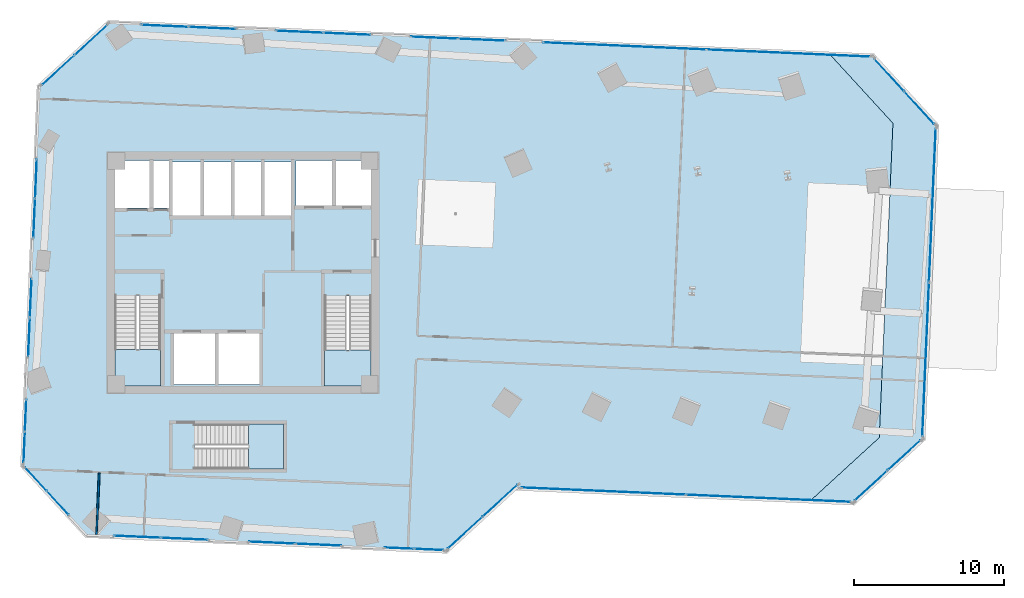
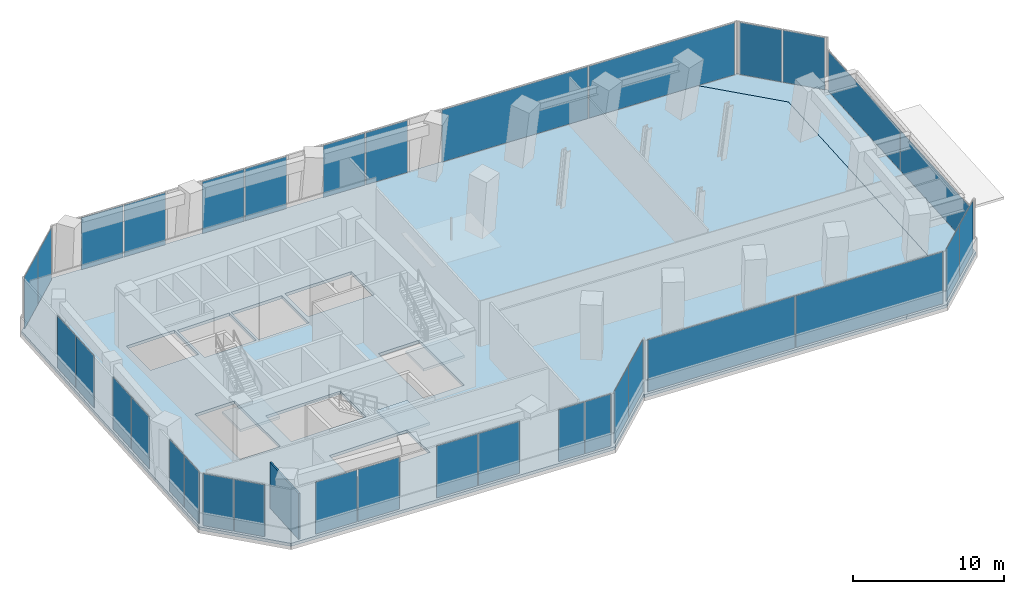
# One storey, part 21 of 27: 34 plates, 5 slabs, 1 wall, 20 elements without a shape of their own.
"""IFC4 building model written with IfcOpenShell, lengths in metres."""

import ifcopenshell
import ifcopenshell.guid

model = None  # the IFC model being written
_history = None  # IfcOwnerHistory: only IFC2X3 demands one
_inside = {}  # id of a spatial element -> (the spatial element, [elements in it])
_under = {}  # id of a project, library or spatial element -> (it, [spatial elements below it])
_declared = {}  # id of a project -> (the project, [libraries it declares])
_typed = {}  # id of a type object -> (the type object, [elements of that type])
_made_of = {}  # id of a material, layer set ... -> (it, [elements and type objects made of it])


def new_model(schema):
    """Start an empty IFC model of exactly this schema.

    Asked for "IFC4X3", IfcOpenShell would pick the latest addendum, in which some entities
    have other attributes; the version numbers below select the first issue.
    IFC2X3 requires an IfcOwnerHistory on every rooted entity: one is made here for all.
    """
    global model, _history
    if schema == "IFC4X3":
        model = ifcopenshell.file(schema_version=(4, 3, 0, 0))
    else:
        model = ifcopenshell.file(schema=schema)
    _inside.clear()
    _under.clear()
    _declared.clear()
    _typed.clear()
    _made_of.clear()
    _history = None
    if model.schema == "IFC2X3":
        org = make("IfcOrganization", Name="unknown")
        user = make(
            "IfcPersonAndOrganization",
            ThePerson=make("IfcPerson", FamilyName="unknown"),
            TheOrganization=org,
        )
        app = make(
            "IfcApplication",
            ApplicationDeveloper=org,
            Version="unknown",
            ApplicationFullName="unknown",
            ApplicationIdentifier="unknown",
        )
        _history = make(
            "IfcOwnerHistory",
            OwningUser=user,
            OwningApplication=app,
            ChangeAction="ADDED",
            CreationDate=0,
        )
    return model


def make(cls, **values):
    """One entity of the class cls with the attributes given. An attribute that is None is left unset."""
    return model.create_entity(
        cls, **{name: value for name, value in values.items() if value is not None}
    )


def rooted(cls, **values):
    """An entity with a GlobalId (a new one), such as an element, a storey or a relation."""
    return make(cls, GlobalId=ifcopenshell.guid.new(), OwnerHistory=_history, **values)


def si_unit(unit_type, name, prefix=None):
    """IfcSIUnit, for example si_unit("LENGTHUNIT", "METRE", prefix="MILLI")."""
    return make("IfcSIUnit", UnitType=unit_type, Prefix=prefix, Name=name)


def assignment(units):
    """IfcUnitAssignment: the units of a project."""
    return None if units is None else make("IfcUnitAssignment", Units=units)


def point(xyz):
    """IfcCartesianPoint."""
    return None if xyz is None else make("IfcCartesianPoint", Coordinates=xyz)


def direction(xyz):
    """IfcDirection."""
    return None if xyz is None else make("IfcDirection", DirectionRatios=xyz)


def frame(location, z_axis=None, x_axis=None):
    """IfcAxis2Placement3D, a coordinate frame: its origin and axes. An axis left out is left unset."""
    return make(
        "IfcAxis2Placement3D",
        Location=point(location),
        Axis=direction(z_axis),
        RefDirection=direction(x_axis),
    )


def frame_2d(location, x_axis=None):
    """IfcAxis2Placement2D, a coordinate frame in the plane: its origin and x axis."""
    return make(
        "IfcAxis2Placement2D", Location=point(location), RefDirection=direction(x_axis)
    )


def origin():
    """The frame at (0, 0, 0) with its axes left unset."""
    return frame((0.0, 0.0, 0.0))


def origin_2d():
    """The frame at (0, 0) in the plane with its x axis left unset."""
    return frame_2d((0.0, 0.0))


def place(relative_to, where):
    """IfcLocalPlacement: puts the frame where relative to a parent placement (None: the world)."""
    return make(
        "IfcLocalPlacement", PlacementRelTo=relative_to, RelativePlacement=where
    )


def context(
    kind, dimensions, precision=None, world=None, true_north=None, identifier=None
):
    """IfcGeometricRepresentationContext, for example the 3D "Model" context."""
    return make(
        "IfcGeometricRepresentationContext",
        ContextIdentifier=identifier,
        ContextType=kind,
        CoordinateSpaceDimension=dimensions,
        Precision=precision,
        WorldCoordinateSystem=world,
        TrueNorth=true_north,
    )


def subcontext(parent, identifier, kind, view, scale=None):
    """IfcGeometricRepresentationSubContext, for example "Body" below "Model"."""
    return make(
        "IfcGeometricRepresentationSubContext",
        ContextIdentifier=identifier,
        ContextType=kind,
        ParentContext=parent,
        TargetScale=scale,
        TargetView=view,
    )


def project(units=None, contexts=None):
    """IfcProject with its units and contexts."""
    return rooted(
        "IfcProject",
        Name="project",
        RepresentationContexts=contexts,
        UnitsInContext=assignment(units),
    )


def spatial(cls, under=None, at=None, **own):
    """A site, building, storey or space (cls), placed at a placement, below another one or the project."""
    s = rooted(cls, ObjectPlacement=at, **own)
    if under is not None:
        _under.setdefault(under.id(), (under, []))[1].append(s)
    return s


def polyline(points):
    """IfcPolyline through the points."""
    return make("IfcPolyline", Points=[point(p) for p in points])


def profile(cls, at=None, kind="AREA", **sizes):
    """A parametric profile (cls). Its sizes go by their IFC names, for example OverallWidth=200.0."""
    return make(cls, ProfileType=kind, Position=at, **sizes)


def rectangle(**sizes):
    """IfcRectangleProfileDef."""
    return profile("IfcRectangleProfileDef", **sizes)


def outline(outer, holes=None, kind="AREA"):
    """IfcArbitraryClosedProfileDef: a profile drawn as a closed curve; with holes, ...WithVoids."""
    if holes is None:
        return make("IfcArbitraryClosedProfileDef", ProfileType=kind, OuterCurve=outer)
    return make(
        "IfcArbitraryProfileDefWithVoids",
        ProfileType=kind,
        OuterCurve=outer,
        InnerCurves=holes,
    )


def extrude(swept, where, along, depth):
    """IfcExtrudedAreaSolid: the profile swept, set in the frame where, extruded along a direction by depth."""
    return make(
        "IfcExtrudedAreaSolid",
        SweptArea=swept,
        Position=where,
        ExtrudedDirection=direction(along),
        Depth=depth,
    )


def shape(context_of_items, identifier, shape_type, items):
    """IfcShapeRepresentation: the items that make up one representation, for example the "Body"."""
    return make(
        "IfcShapeRepresentation",
        ContextOfItems=context_of_items,
        RepresentationIdentifier=identifier,
        RepresentationType=shape_type,
        Items=items,
    )


def source(mapping_origin, context_of_items, identifier, shape_type, items):
    """IfcRepresentationMap: a shape defined once, which mapped items show again and again."""
    return make(
        "IfcRepresentationMap",
        MappingOrigin=mapping_origin,
        MappedRepresentation=shape(context_of_items, identifier, shape_type, items),
    )


def transform(
    local_origin,
    x_axis=None,
    y_axis=None,
    z_axis=None,
    scale=None,
    scale2=None,
    scale3=None,
    uniform=True,
):
    """IfcCartesianTransformationOperator3D, or its non-uniform kind. x_axis, y_axis, z_axis: its Axis1, 2, 3."""
    if uniform:
        return make(
            "IfcCartesianTransformationOperator3D",
            Axis1=direction(x_axis),
            Axis2=direction(y_axis),
            LocalOrigin=point(local_origin),
            Scale=scale,
            Axis3=direction(z_axis),
        )
    return make(
        "IfcCartesianTransformationOperator3DnonUniform",
        Axis1=direction(x_axis),
        Axis2=direction(y_axis),
        LocalOrigin=point(local_origin),
        Scale=scale,
        Axis3=direction(z_axis),
        Scale2=scale2,
        Scale3=scale3,
    )


def mapped(mapping_source, mapping_target):
    """IfcMappedItem: shows the shape of a source again, moved by a transform."""
    return make(
        "IfcMappedItem", MappingSource=mapping_source, MappingTarget=mapping_target
    )


def material(Name=None, Category=None):
    """IfcMaterial."""
    return make("IfcMaterial", Name=Name, Category=Category)


def layer(
    of_material, thickness, ventilated=None, Name=None, Category=None, Priority=None
):
    """IfcMaterialLayer: one layer of a wall or slab, of a material (None: an air gap)."""
    return make(
        "IfcMaterialLayer",
        Material=of_material,
        LayerThickness=thickness,
        IsVentilated=ventilated,
        Name=Name,
        Category=Category,
        Priority=Priority,
    )


def layer_set(layers, Name=None):
    """IfcMaterialLayerSet."""
    return make("IfcMaterialLayerSet", MaterialLayers=layers, LayerSetName=Name)


def made_of(thing, what):
    """Note that an element or type object is made of a material, layer set ...; save() writes the relation."""
    if what is not None:
        _made_of.setdefault(what.id(), (what, []))[1].append(thing)
    return thing


def type_object(cls, material=None, **own):
    """A type object (cls), such as IfcWallType, which elements share."""
    return made_of(rooted(cls, **own), material)


def element(
    cls,
    number,
    at=None,
    inside=None,
    cuts=None,
    type_object=None,
    material=None,
    context=None,
    identifier="Body",
    shape_type=None,
    held_by="IfcProductDefinitionShape",
    body=None,
    shapes=None,
    **own,
):
    """One element of the class cls, such as IfcWall. Its Tag is "e" and its number.

    at: its placement. inside: the storey or other place that contains it. cuts: it is an
    opening in that element (IfcRelVoidsElement). A single representation is given by context,
    identifier, shape_type and body (its items); several are given by shapes. held_by: the class
    of the entity that holds the representations. save() writes the other relations.
    """
    e = rooted(cls, Tag="e%d" % number, ObjectPlacement=at, **own)
    if body is not None:
        shapes = [shape(context, identifier, shape_type, body)]
    if shapes is not None:
        e.Representation = make(held_by, Representations=shapes)
    if inside is not None:
        _inside.setdefault(inside.id(), (inside, []))[1].append(e)
    if cuts is not None:
        rooted(
            "IfcRelVoidsElement", RelatingBuildingElement=cuts, RelatedOpeningElement=e
        )
    if type_object is not None:
        _typed.setdefault(type_object.id(), (type_object, []))[1].append(e)
    return made_of(e, material)


def aggregate(whole, parts):
    """IfcRelAggregates: a whole, such as a stair, and the parts it consists of."""
    return rooted("IfcRelAggregates", RelatingObject=whole, RelatedObjects=parts)


def save(model, path):
    """Write the relations noted so far, then the file.

    IfcRelAggregates (storeys below a building ...), IfcRelContainedInSpatialStructure (elements
    in a storey), IfcRelDefinesByType, IfcRelAssociatesMaterial and IfcRelDeclares: one each for
    every whole, place, type object, material and project.
    """
    for whole, parts in _under.values():
        aggregate(whole, parts)
    for where, things in _inside.values():
        rooted(
            "IfcRelContainedInSpatialStructure",
            RelatedElements=things,
            RelatingStructure=where,
        )
    for kind, things in _typed.values():
        rooted("IfcRelDefinesByType", RelatedObjects=things, RelatingType=kind)
    for what, things in _made_of.values():
        rooted("IfcRelAssociatesMaterial", RelatedObjects=things, RelatingMaterial=what)
    for by, libraries in _declared.values():
        rooted("IfcRelDeclares", RelatingContext=by, RelatedDefinitions=libraries)
    model.write(path)


model = new_model("IFC4")

# Units and contexts
model_context = context("Model", 3, precision=1e-05, world=origin(), true_north=direction((0.0, 1.0)))
body_context = subcontext(model_context, "Body", "Model", "MODEL_VIEW")
ifc_project = project(units=[si_unit("LENGTHUNIT", "METRE"), si_unit("AREAUNIT", "SQUARE_METRE"), si_unit("VOLUMEUNIT", "CUBIC_METRE"), si_unit("PLANEANGLEUNIT", "RADIAN"), si_unit("MASSUNIT", "GRAM", prefix="KILO")], contexts=[model_context])

# Site, building, storey
site_placement = place(None, origin())
site = spatial("IfcSite", under=ifc_project, at=site_placement, CompositionType="ELEMENT")
building_placement = place(site_placement, origin())
building = spatial("IfcBuilding", under=site, at=building_placement, Name="Torre Montelarca", CompositionType="ELEMENT")
storey_placement = place(building_placement, frame((0.0, 0.0, 37.60009765625)))
storey = spatial("IfcBuildingStorey", under=building, at=storey_placement, Name="L08", CompositionType="ELEMENT", Elevation=37.60009765625)

# Slabs
ifc_material_1 = material(Name="Concrete C40/50", Category="concrete")
ifc_layer_1 = layer(ifc_material_1, 0.239990234375, Name="Concrete C40/50", Category="concrete")
ifc_layer_set_1 = layer_set([ifc_layer_1], Name="Concrete C40/50")
slab_type_1 = type_object("IfcSlabType", Name="SL-FLR-240", PredefinedType="FLOOR", material=ifc_layer_set_1)
slab_1_placement = place(storey_placement, frame((0.0, 0.0, -0.239990234375)))
element("IfcSlab", 1, at=slab_1_placement, inside=storey, type_object=slab_type_1, Name="L08 Structural Floor Slab", PredefinedType="FLOOR", context=body_context, shape_type="SweptSolid", body=[
    extrude(outline(polyline([(31.595703125, 13.341796875), (36.287841796875, 17.641357421875), (36.283447265625, 17.54150390625), (55.764892578125, 16.69091796875), (60.456787109375, 20.990234375), (61.372802734375, 41.97021484375), (57.073486328125, 46.662353515625), (9.019287109375, 48.760498046875), (4.3271484375, 44.4609375), (3.21923828125, 19.085205078125), (7.518798828125, 14.39306640625), (31.595703125, 13.341796875)]), holes=[polyline([(20.699951171875, 18.89990234375), (14.760009765625, 18.89990234375), (14.760009765625, 21.889892578125), (20.699951171875, 21.889892578125), (20.699951171875, 18.89990234375)]), polyline([(19.10009765625, 24.550048828125), (13.39990234375, 24.550048828125), (13.39990234375, 27.949951171875), (19.10009765625, 27.949951171875), (19.10009765625, 24.550048828125)]), polyline([(23.43994140625, 24.449951171875), (23.43994140625, 30.429931640625), (26.550048828125, 30.429931640625), (26.550048828125, 24.449951171875), (23.43994140625, 24.449951171875)]), polyline([(9.449951171875, 24.449951171875), (9.449951171875, 30.4599609375), (12.5, 30.4599609375), (12.5, 24.449951171875), (9.449951171875, 24.449951171875)]), polyline([(17.25, 35.800048828125), (13.300048828125, 35.800048828125), (13.300048828125, 39.39990234375), (17.25, 39.39990234375), (17.25, 35.800048828125)]), polyline([(21.25, 35.800048828125), (17.39990234375, 35.800048828125), (17.39990234375, 39.39990234375), (21.25, 39.39990234375), (21.25, 35.800048828125)]), polyline([(13.1201171875, 36.300048828125), (9.449951171875, 36.300048828125), (9.449951171875, 39.5), (13.1201171875, 39.5), (13.1201171875, 36.300048828125)]), polyline([(26.60009765625, 36.449951171875), (21.550048828125, 36.449951171875), (21.550048828125, 39.5), (26.60009765625, 39.5), (26.60009765625, 36.449951171875)])]), origin(), (0.0, 0.0, 1.0), 0.239990234375),
])
slab_2_placement = place(storey_placement, frame((0.0, 0.0, -0.239990234375)))
element("IfcSlab", 2, at=slab_2_placement, inside=storey, type_object=slab_type_1, Name="L08 Sliding Tray Winter Garden Floor Slab E1", PredefinedType="FLOOR", context=body_context, shape_type="SweptSolid", body=[
    extrude(outline(polyline([(57.073486328125, 46.662353515625), (61.372802734375, 41.97021484375), (60.456787109375, 20.990234375), (55.764892578125, 16.69091796875), (58.761962890625, 16.56005859375), (63.4541015625, 20.859375), (64.3701171875, 41.83935546875), (60.070556640625, 46.531494140625), (57.073486328125, 46.662353515625)])), origin(), (0.0, 0.0, 1.0), 0.239990234375),
])

# Stair, slab
stair_type_1 = type_object("IfcStairType", Name="ST-CORE-ST1", PredefinedType="HALF_TURN_STAIR", material=ifc_material_1)
stair_1_placement = place(storey_placement, origin())
stair_1 = element("IfcStair", 3, at=stair_1_placement, inside=storey, type_object=stair_type_1, Name="L08 Protected Exit Stair ST1", PredefinedType="HALF_TURN_STAIR")
ifc_layer_2 = layer(ifc_material_1, 0.199951171875, Name="Concrete C40/50", Category="concrete")
ifc_layer_set_2 = layer_set([ifc_layer_2], Name="Concrete C40/50")
slab_type_2 = type_object("IfcSlabType", Name="SL-ST-LAND-ST1", PredefinedType="LANDING", material=ifc_layer_set_2)
slab_3_placement = place(storey_placement, frame((0.0, 0.0, 2.199951171875)))
slab_3 = element("IfcSlab", 4, at=slab_3_placement, type_object=slab_type_2, Name="ST1 landing 1", PredefinedType="LANDING", context=body_context, shape_type="SweptSolid", body=[
    extrude(outline(polyline([(9.449951171875, 26.860107421875), (9.449951171875, 24.449951171875), (12.5, 24.449951171875), (12.5, 26.860107421875), (9.449951171875, 26.860107421875)])), origin(), (0.0, 0.0, 1.0), 0.199951171875),
])
aggregate(stair_1, [slab_3])

stair_type_2 = type_object("IfcStairType", Name="ST-CORE-ST2", PredefinedType="HALF_TURN_STAIR", material=ifc_material_1)
stair_2_placement = place(storey_placement, origin())
stair_2 = element("IfcStair", 5, at=stair_2_placement, inside=storey, type_object=stair_type_2, Name="L08 Protected Exit Stair ST2", PredefinedType="HALF_TURN_STAIR")
ifc_layer_3 = layer(ifc_material_1, 0.199951171875, Name="Concrete C40/50", Category="concrete")
ifc_layer_set_3 = layer_set([ifc_layer_3], Name="Concrete C40/50")
slab_type_3 = type_object("IfcSlabType", Name="SL-ST-LAND-ST2", PredefinedType="LANDING", material=ifc_layer_set_3)
slab_4_placement = place(storey_placement, frame((0.0, 0.0, 2.199951171875)))
slab_4 = element("IfcSlab", 6, at=slab_4_placement, type_object=slab_type_3, Name="ST2 landing 1", PredefinedType="LANDING", context=body_context, shape_type="SweptSolid", body=[
    extrude(outline(polyline([(23.43994140625, 26.830078125), (23.43994140625, 24.449951171875), (26.550048828125, 24.449951171875), (26.550048828125, 26.830078125), (23.43994140625, 26.830078125)])), origin(), (0.0, 0.0, 1.0), 0.199951171875),
])
aggregate(stair_2, [slab_4])

stair_type_3 = type_object("IfcStairType", Name="ST-CORE-ST3", PredefinedType="HALF_TURN_STAIR", material=ifc_material_1)
stair_3_placement = place(storey_placement, origin())
stair_3 = element("IfcStair", 7, at=stair_3_placement, inside=storey, type_object=stair_type_3, Name="L08 Low-Rise Exit Stair ST3", PredefinedType="HALF_TURN_STAIR")
ifc_layer_4 = layer(ifc_material_1, 0.199951171875, Name="Concrete C40/50", Category="concrete")
ifc_layer_set_4 = layer_set([ifc_layer_4], Name="Concrete C40/50")
slab_type_4 = type_object("IfcSlabType", Name="SL-ST-LAND-ST3", PredefinedType="LANDING", material=ifc_layer_set_4)
slab_5_placement = place(storey_placement, frame((0.0, 0.0, 2.199951171875)))
slab_5 = element("IfcSlab", 8, at=slab_5_placement, type_object=slab_type_4, Name="ST3 landing 1", PredefinedType="LANDING", context=body_context, shape_type="SweptSolid", body=[
    extrude(outline(polyline([(18.360107421875, 18.89990234375), (20.699951171875, 18.89990234375), (20.699951171875, 21.889892578125), (18.360107421875, 21.889892578125), (18.360107421875, 18.89990234375)])), origin(), (0.0, 0.0, 1.0), 0.199951171875),
])
aggregate(stair_3, [slab_5])

# Curtain wall, plates
ifc_material_2 = material(Name="Insulated low-E laminated glass", Category="glass")
curtain_wall_type = type_object("IfcCurtainWallType", Name="CW-SYS-Z1", PredefinedType="USERDEFINED", material=ifc_material_2)
curtain_wall_1_placement = place(storey_placement, origin())
curtain_wall_1 = element("IfcCurtainWall", 9, at=curtain_wall_1_placement, inside=storey, type_object=curtain_wall_type, Name="L08 Curtain Wall Run CW-T3-L08-E01-B3", ObjectType="UNITISED GLAZING", PredefinedType="USERDEFINED")
ifc_layer_5 = layer(ifc_material_2, 0.028076171875, Name="Insulated low-E laminated glass", Category="glass")
ifc_layer_set_5 = layer_set([ifc_layer_5], Name="Insulated low-E laminated glass")
plate_type = type_object("IfcPlateType", Name="CWP-GLZ-28", PredefinedType="CURTAIN_PANEL", material=ifc_layer_set_5)
shared_shape_1 = source(origin(), body_context, "Body", "SweptSolid", [
    extrude(rectangle(XDim=1.917236328125, YDim=0.028076171875, at=origin_2d()), origin(), (0.0, 0.0, 1.0), 4.18994140625),
])
plate_1_placement = place(storey_placement, frame((28.43310546875, 13.610107421875, 0.06494140625), z_axis=(0.0, 0.0, 1.0), x_axis=(0.999048792113, -0.043606318081, 0.0)))
plate_1 = element("IfcPlate", 10, at=plate_1_placement, type_object=plate_type, Name="CW panel 1.1", PredefinedType="CURTAIN_PANEL", context=body_context, shape_type="MappedRepresentation", body=[
    mapped(shared_shape_1, transform((0.0, 0.0, 0.0), scale=1.0)),
])
plate_2_placement = place(storey_placement, frame((30.413330078125, 13.523681640625, 0.06494140625), z_axis=(0.0, 0.0, 1.0), x_axis=(0.999048792113, -0.043606318081, 0.0)))
plate_2 = element("IfcPlate", 11, at=plate_2_placement, type_object=plate_type, Name="CW panel 2.1", PredefinedType="CURTAIN_PANEL", context=body_context, shape_type="MappedRepresentation", body=[
    mapped(shared_shape_1, transform((0.0, 0.0, 0.0), scale=1.0)),
])
aggregate(curtain_wall_1, [plate_1, plate_2])

curtain_wall_2_placement = place(storey_placement, origin())
curtain_wall_2 = element("IfcCurtainWall", 12, at=curtain_wall_2_placement, inside=storey, type_object=curtain_wall_type, Name="L08 Curtain Wall Run CW-T3-L08-E02-B1", ObjectType="UNITISED GLAZING", PredefinedType="USERDEFINED")
shared_shape_2 = source(origin(), body_context, "Body", "SweptSolid", [
    extrude(rectangle(XDim=3.1025390625, YDim=0.028076171875, at=origin_2d()), origin(), (0.0, 0.0, 1.0), 4.18994140625),
])
plate_3_placement = place(storey_placement, frame((32.82177734375, 14.641845703125, 0.06494140625), z_axis=(0.0, 0.0, 1.0), x_axis=(0.737291621042, 0.675574618781, 0.0)))
plate_3 = element("IfcPlate", 13, at=plate_3_placement, type_object=plate_type, Name="CW panel 1.1", PredefinedType="CURTAIN_PANEL", context=body_context, shape_type="MappedRepresentation", body=[
    mapped(shared_shape_2, transform((0.0, 0.0, 0.0), scale=1.0)),
])
plate_4_placement = place(storey_placement, frame((35.1572265625, 16.78173828125, 0.06494140625), z_axis=(0.0, 0.0, 1.0), x_axis=(0.737291621042, 0.675574618781, 0.0)))
plate_4 = element("IfcPlate", 14, at=plate_4_placement, type_object=plate_type, Name="CW panel 2.1", PredefinedType="CURTAIN_PANEL", context=body_context, shape_type="MappedRepresentation", body=[
    mapped(shared_shape_2, transform((0.0, 0.0, 0.0), scale=1.0)),
])
aggregate(curtain_wall_2, [plate_3, plate_4])

curtain_wall_3_placement = place(storey_placement, origin())
curtain_wall_3 = element("IfcCurtainWall", 15, at=curtain_wall_3_placement, inside=storey, type_object=curtain_wall_type, Name="L08 Curtain Wall Run CW-T3-L08-E04-B1", ObjectType="UNITISED GLAZING", PredefinedType="USERDEFINED")
shared_shape_3 = source(origin(), body_context, "Body", "SweptSolid", [
    extrude(rectangle(XDim=10.948486328125, YDim=0.028076171875, at=origin_2d()), origin(), (0.0, 0.0, 1.0), 4.18994140625),
])
plate_5_placement = place(storey_placement, frame((42.06494140625, 17.419189453125, 0.06494140625), z_axis=(0.0, 0.0, 1.0), x_axis=(0.999048310418, -0.043617352644, 0.0)))
plate_5 = element("IfcPlate", 16, at=plate_5_placement, type_object=plate_type, Name="CW panel 1.1", PredefinedType="CURTAIN_PANEL", context=body_context, shape_type="MappedRepresentation", body=[
    mapped(shared_shape_3, transform((0.0, 0.0, 0.0), scale=1.0)),
])
plate_6_placement = place(storey_placement, frame((53.06787109375, 16.938720703125, 0.06494140625), z_axis=(0.0, 0.0, 1.0), x_axis=(0.999048310418, -0.043617352644, 0.0)))
plate_6 = element("IfcPlate", 17, at=plate_6_placement, type_object=plate_type, Name="CW panel 2.1", PredefinedType="CURTAIN_PANEL", context=body_context, shape_type="MappedRepresentation", body=[
    mapped(shared_shape_3, transform((0.0, 0.0, 0.0), scale=1.0)),
])
aggregate(curtain_wall_3, [plate_5, plate_6])

curtain_wall_4_placement = place(storey_placement, origin())
curtain_wall_4 = element("IfcCurtainWall", 18, at=curtain_wall_4_placement, inside=storey, type_object=curtain_wall_type, Name="L08 Curtain Wall Run CW-T3-L08-E05-B1", ObjectType="UNITISED GLAZING", PredefinedType="USERDEFINED")
shared_shape_4 = source(origin(), body_context, "Body", "SweptSolid", [
    extrude(rectangle(XDim=2.918701171875, YDim=0.028076171875, at=origin_2d()), origin(), (0.0, 0.0, 1.0), 4.18994140625),
])
plate_7_placement = place(storey_placement, frame((59.920166015625, 17.797607421875, 0.06494140625), z_axis=(0.0, 0.0, 1.0), x_axis=(0.737291747736, 0.675574480513, 0.0)))
plate_7 = element("IfcPlate", 19, at=plate_7_placement, type_object=plate_type, Name="CW panel 1.1", PredefinedType="CURTAIN_PANEL", context=body_context, shape_type="MappedRepresentation", body=[
    mapped(shared_shape_4, transform((0.0, 0.0, 0.0), scale=1.0)),
])
plate_8_placement = place(storey_placement, frame((62.1201171875, 19.8134765625, 0.06494140625), z_axis=(0.0, 0.0, 1.0), x_axis=(0.737291747736, 0.675574480513, 0.0)))
plate_8 = element("IfcPlate", 20, at=plate_8_placement, type_object=plate_type, Name="CW panel 2.1", PredefinedType="CURTAIN_PANEL", context=body_context, shape_type="MappedRepresentation", body=[
    mapped(shared_shape_4, transform((0.0, 0.0, 0.0), scale=1.0)),
])
aggregate(curtain_wall_4, [plate_7, plate_8])

curtain_wall_5_placement = place(storey_placement, origin())
curtain_wall_5 = element("IfcCurtainWall", 21, at=curtain_wall_5_placement, inside=storey, type_object=curtain_wall_type, Name="L08 Curtain Wall Run CW-T3-L08-E07-B1", ObjectType="UNITISED GLAZING", PredefinedType="USERDEFINED")
plate_9_placement = place(storey_placement, frame((63.13232421875, 42.997802734375, 0.06494140625), z_axis=(0.0, 0.0, 1.0), x_axis=(-0.675574480513, 0.737291747736, 0.0)))
plate_9 = element("IfcPlate", 22, at=plate_9_placement, type_object=plate_type, Name="CW panel 1.1", PredefinedType="CURTAIN_PANEL", context=body_context, shape_type="MappedRepresentation", body=[
    mapped(shared_shape_4, transform((0.0, 0.0, 0.0), scale=1.0)),
])
plate_10_placement = place(storey_placement, frame((61.11669921875, 45.197509765625, 0.06494140625), z_axis=(0.0, 0.0, 1.0), x_axis=(-0.675574480513, 0.737291747736, 0.0)))
plate_10 = element("IfcPlate", 23, at=plate_10_placement, type_object=plate_type, Name="CW panel 2.1", PredefinedType="CURTAIN_PANEL", context=body_context, shape_type="MappedRepresentation", body=[
    mapped(shared_shape_4, transform((0.0, 0.0, 0.0), scale=1.0)),
])
aggregate(curtain_wall_5, [plate_9, plate_10])

curtain_wall_6_placement = place(storey_placement, origin())
curtain_wall_6 = element("IfcCurtainWall", 24, at=curtain_wall_6_placement, inside=storey, type_object=curtain_wall_type, Name="L08 Curtain Wall Run CW-T3-L08-E09-B1", ObjectType="UNITISED GLAZING", PredefinedType="USERDEFINED")
plate_11_placement = place(storey_placement, frame((7.86083984375, 47.522705078125, 0.06494140625), z_axis=(0.0, 0.0, 1.0), x_axis=(-0.737283490692, -0.67558349177, 0.0)))
plate_11 = element("IfcPlate", 25, at=plate_11_placement, type_object=plate_type, Name="CW panel 1.1", PredefinedType="CURTAIN_PANEL", context=body_context, shape_type="MappedRepresentation", body=[
    mapped(shared_shape_4, transform((0.0, 0.0, 0.0), scale=1.0)),
])
plate_12_placement = place(storey_placement, frame((5.6611328125, 45.5068359375, 0.06494140625), z_axis=(0.0, 0.0, 1.0), x_axis=(-0.737283490692, -0.67558349177, 0.0)))
plate_12 = element("IfcPlate", 26, at=plate_12_placement, type_object=plate_type, Name="CW panel 2.1", PredefinedType="CURTAIN_PANEL", context=body_context, shape_type="MappedRepresentation", body=[
    mapped(shared_shape_4, transform((0.0, 0.0, 0.0), scale=1.0)),
])
aggregate(curtain_wall_6, [plate_11, plate_12])

curtain_wall_7_placement = place(storey_placement, origin())
curtain_wall_7 = element("IfcCurtainWall", 27, at=curtain_wall_7_placement, inside=storey, type_object=curtain_wall_type, Name="L08 Curtain Wall Run CW-T3-L08-E10-B3", ObjectType="UNITISED GLAZING", PredefinedType="USERDEFINED")
shared_shape_5 = source(origin(), body_context, "Body", "SweptSolid", [
    extrude(rectangle(XDim=2.067138671875, YDim=0.028076171875, at=origin_2d()), origin(), (0.0, 0.0, 1.0), 4.18994140625),
])
plate_13_placement = place(storey_placement, frame((3.497314453125, 22.47265625, 0.06494140625), z_axis=(0.0, 0.0, 1.0), x_axis=(-0.043610639363, -0.999048603489, 0.0)))
plate_13 = element("IfcPlate", 28, at=plate_13_placement, type_object=plate_type, Name="CW panel 1.1", PredefinedType="CURTAIN_PANEL", context=body_context, shape_type="MappedRepresentation", body=[
    mapped(shared_shape_5, transform((0.0, 0.0, 0.0), scale=1.0)),
])
plate_14_placement = place(storey_placement, frame((3.404296875, 20.342529296875, 0.06494140625), z_axis=(0.0, 0.0, 1.0), x_axis=(-0.043610639363, -0.999048603489, 0.0)))
plate_14 = element("IfcPlate", 29, at=plate_14_placement, type_object=plate_type, Name="CW panel 2.1", PredefinedType="CURTAIN_PANEL", context=body_context, shape_type="MappedRepresentation", body=[
    mapped(shared_shape_5, transform((0.0, 0.0, 0.0), scale=1.0)),
])
aggregate(curtain_wall_7, [plate_13, plate_14])

curtain_wall_8_placement = place(storey_placement, origin())
curtain_wall_8 = element("IfcCurtainWall", 30, at=curtain_wall_8_placement, inside=storey, type_object=curtain_wall_type, Name="L08 Curtain Wall Run CW-T3-L08-E01-B1", ObjectType="UNITISED GLAZING", PredefinedType="USERDEFINED")
shared_shape_6 = source(origin(), body_context, "Body", "SweptSolid", [
    extrude(rectangle(XDim=3.08544921875, YDim=0.028076171875, at=origin_2d()), origin(), (0.0, 0.0, 1.0), 4.18994140625),
])
plate_15_placement = place(storey_placement, frame((10.958740234375, 14.373046875, 0.06494140625), z_axis=(0.0, 0.0, 1.0), x_axis=(0.999047989719, -0.043624697584, 0.0)))
plate_15 = element("IfcPlate", 31, at=plate_15_placement, type_object=plate_type, Name="CW panel 1.1", PredefinedType="CURTAIN_PANEL", context=body_context, shape_type="MappedRepresentation", body=[
    mapped(shared_shape_6, transform((0.0, 0.0, 0.0), scale=1.0)),
])
plate_16_placement = place(storey_placement, frame((14.10595703125, 14.235595703125, 0.06494140625), z_axis=(0.0, 0.0, 1.0), x_axis=(0.999047989719, -0.043624697584, 0.0)))
plate_16 = element("IfcPlate", 32, at=plate_16_placement, type_object=plate_type, Name="CW panel 2.1", PredefinedType="CURTAIN_PANEL", context=body_context, shape_type="MappedRepresentation", body=[
    mapped(shared_shape_6, transform((0.0, 0.0, 0.0), scale=1.0)),
])
aggregate(curtain_wall_8, [plate_15, plate_16])

curtain_wall_9_placement = place(storey_placement, origin())
curtain_wall_9 = element("IfcCurtainWall", 33, at=curtain_wall_9_placement, inside=storey, type_object=curtain_wall_type, Name="L08 Curtain Wall Run CW-T3-L08-E01-B2", ObjectType="UNITISED GLAZING", PredefinedType="USERDEFINED")
shared_shape_7 = source(origin(), body_context, "Body", "SweptSolid", [
    extrude(rectangle(XDim=3.046630859375, YDim=0.028076171875, at=origin_2d()), origin(), (0.0, 0.0, 1.0), 4.18994140625),
])
plate_17_placement = place(storey_placement, frame((19.930908203125, 13.981201171875, 0.06494140625), z_axis=(0.0, 0.0, 1.0), x_axis=(0.999048220707, -0.0436194074, 0.0)))
plate_17 = element("IfcPlate", 34, at=plate_17_placement, type_object=plate_type, Name="CW panel 1.1", PredefinedType="CURTAIN_PANEL", context=body_context, shape_type="MappedRepresentation", body=[
    mapped(shared_shape_7, transform((0.0, 0.0, 0.0), scale=1.0)),
])
plate_18_placement = place(storey_placement, frame((23.039794921875, 13.845703125, 0.06494140625), z_axis=(0.0, 0.0, 1.0), x_axis=(0.999048220707, -0.0436194074, 0.0)))
plate_18 = element("IfcPlate", 35, at=plate_18_placement, type_object=plate_type, Name="CW panel 2.1", PredefinedType="CURTAIN_PANEL", context=body_context, shape_type="MappedRepresentation", body=[
    mapped(shared_shape_7, transform((0.0, 0.0, 0.0), scale=1.0)),
])
aggregate(curtain_wall_9, [plate_17, plate_18])

curtain_wall_10_placement = place(storey_placement, origin())
curtain_wall_10 = element("IfcCurtainWall", 36, at=curtain_wall_10_placement, inside=storey, type_object=curtain_wall_type, Name="L08 Curtain Wall Run CW-T3-L08-E06-B1", ObjectType="UNITISED GLAZING", PredefinedType="USERDEFINED")
shared_shape_8 = source(origin(), body_context, "Body", "SweptSolid", [
    extrude(rectangle(XDim=10.236572265625, YDim=0.028076171875, at=origin_2d()), origin(), (0.0, 0.0, 1.0), 3.2451171875),
])
plate_19_placement = place(storey_placement, frame((63.557373046875, 26.209228515625, 0.06494140625), z_axis=(0.0, 0.0, 1.0), x_axis=(0.043617583889, 0.999048300322, 0.0)))
plate_19 = element("IfcPlate", 37, at=plate_19_placement, type_object=plate_type, Name="CW panel 1.1", PredefinedType="CURTAIN_PANEL", context=body_context, shape_type="MappedRepresentation", body=[
    mapped(shared_shape_8, transform((0.0, 0.0, 0.0), scale=1.0)),
])
plate_20_placement = place(storey_placement, frame((64.0068359375, 36.5009765625, 0.06494140625), z_axis=(0.0, 0.0, 1.0), x_axis=(0.043617583889, 0.999048300322, 0.0)))
plate_20 = element("IfcPlate", 38, at=plate_20_placement, type_object=plate_type, Name="CW panel 2.1", PredefinedType="CURTAIN_PANEL", context=body_context, shape_type="MappedRepresentation", body=[
    mapped(shared_shape_8, transform((0.0, 0.0, 0.0), scale=1.0)),
])
aggregate(curtain_wall_10, [plate_19, plate_20])

curtain_wall_11_placement = place(storey_placement, origin())
curtain_wall_11 = element("IfcCurtainWall", 39, at=curtain_wall_11_placement, inside=storey, type_object=curtain_wall_type, Name="L08 Curtain Wall Run CW-T3-L08-E08-B1", ObjectType="UNITISED GLAZING", PredefinedType="USERDEFINED")
shared_shape_9 = source(origin(), body_context, "Body", "SweptSolid", [
    extrude(rectangle(XDim=10.872802734375, YDim=0.028076171875, at=origin_2d()), origin(), (0.0, 0.0, 1.0), 4.18994140625),
])
plate_21_placement = place(storey_placement, frame((54.403076171875, 46.648681640625, 0.06494140625), z_axis=(0.0, 0.0, 1.0), x_axis=(-0.999048299311, 0.043617607028, 0.0)))
plate_21 = element("IfcPlate", 40, at=plate_21_placement, type_object=plate_type, Name="CW panel 1.1", PredefinedType="CURTAIN_PANEL", context=body_context, shape_type="MappedRepresentation", body=[
    mapped(shared_shape_9, transform((0.0, 0.0, 0.0), scale=1.0)),
])
plate_22_placement = place(storey_placement, frame((43.4755859375, 47.125732421875, 0.06494140625), z_axis=(0.0, 0.0, 1.0), x_axis=(-0.999048299311, 0.043617607028, 0.0)))
plate_22 = element("IfcPlate", 41, at=plate_22_placement, type_object=plate_type, Name="CW panel 2.1", PredefinedType="CURTAIN_PANEL", context=body_context, shape_type="MappedRepresentation", body=[
    mapped(shared_shape_9, transform((0.0, 0.0, 0.0), scale=1.0)),
])
aggregate(curtain_wall_11, [plate_21, plate_22])

curtain_wall_12_placement = place(storey_placement, origin())
curtain_wall_12 = element("IfcCurtainWall", 42, at=curtain_wall_12_placement, inside=storey, type_object=curtain_wall_type, Name="L08 Curtain Wall Run CW-T3-L08-E08-B2", ObjectType="UNITISED GLAZING", PredefinedType="USERDEFINED")
shared_shape_10 = source(origin(), body_context, "Body", "SweptSolid", [
    extrude(rectangle(XDim=3.10791015625, YDim=0.028076171875, at=origin_2d()), origin(), (0.0, 0.0, 1.0), 4.18994140625),
])
plate_23_placement = place(storey_placement, frame((33.94091796875, 47.542236328125, 0.06494140625), z_axis=(0.0, 0.0, 1.0), x_axis=(-0.999048431448, 0.043614580368, 0.0)))
plate_23 = element("IfcPlate", 43, at=plate_23_placement, type_object=plate_type, Name="CW panel 1.1", PredefinedType="CURTAIN_PANEL", context=body_context, shape_type="MappedRepresentation", body=[
    mapped(shared_shape_10, transform((0.0, 0.0, 0.0), scale=1.0)),
])
plate_24_placement = place(storey_placement, frame((30.77099609375, 47.6806640625, 0.06494140625), z_axis=(0.0, 0.0, 1.0), x_axis=(-0.999048431448, 0.043614580368, 0.0)))
plate_24 = element("IfcPlate", 44, at=plate_24_placement, type_object=plate_type, Name="CW panel 2.1", PredefinedType="CURTAIN_PANEL", context=body_context, shape_type="MappedRepresentation", body=[
    mapped(shared_shape_10, transform((0.0, 0.0, 0.0), scale=1.0)),
])
aggregate(curtain_wall_12, [plate_23, plate_24])

curtain_wall_13_placement = place(storey_placement, origin())
curtain_wall_13 = element("IfcCurtainWall", 45, at=curtain_wall_13_placement, inside=storey, type_object=curtain_wall_type, Name="L08 Curtain Wall Run CW-T3-L08-E08-B3", ObjectType="UNITISED GLAZING", PredefinedType="USERDEFINED")
shared_shape_11 = source(origin(), body_context, "Body", "SweptSolid", [
    extrude(rectangle(XDim=3.106689453125, YDim=0.028076171875, at=origin_2d()), origin(), (0.0, 0.0, 1.0), 4.18994140625),
])
plate_25_placement = place(storey_placement, frame((24.949951171875, 47.934814453125, 0.06494140625), z_axis=(0.0, 0.0, 1.0), x_axis=(-0.999047808015, 0.043628858585, 0.0)))
plate_25 = element("IfcPlate", 46, at=plate_25_placement, type_object=plate_type, Name="CW panel 1.1", PredefinedType="CURTAIN_PANEL", context=body_context, shape_type="MappedRepresentation", body=[
    mapped(shared_shape_11, transform((0.0, 0.0, 0.0), scale=1.0)),
])
plate_26_placement = place(storey_placement, frame((21.78125, 48.072998046875, 0.06494140625), z_axis=(0.0, 0.0, 1.0), x_axis=(-0.999047808015, 0.043628858585, 0.0)))
plate_26 = element("IfcPlate", 47, at=plate_26_placement, type_object=plate_type, Name="CW panel 2.1", PredefinedType="CURTAIN_PANEL", context=body_context, shape_type="MappedRepresentation", body=[
    mapped(shared_shape_11, transform((0.0, 0.0, 0.0), scale=1.0)),
])
aggregate(curtain_wall_13, [plate_25, plate_26])

curtain_wall_14_placement = place(storey_placement, origin())
curtain_wall_14 = element("IfcCurtainWall", 48, at=curtain_wall_14_placement, inside=storey, type_object=curtain_wall_type, Name="L08 Curtain Wall Run CW-T3-L08-E08-B4", ObjectType="UNITISED GLAZING", PredefinedType="USERDEFINED")
shared_shape_12 = source(origin(), body_context, "Body", "SweptSolid", [
    extrude(rectangle(XDim=3.105712890625, YDim=0.028076171875, at=origin_2d()), origin(), (0.0, 0.0, 1.0), 4.18994140625),
])
plate_27_placement = place(storey_placement, frame((15.958984375, 48.327392578125, 0.06494140625), z_axis=(0.0, 0.0, 1.0), x_axis=(-0.999047894138, 0.04362688641, 0.0)))
plate_27 = element("IfcPlate", 49, at=plate_27_placement, type_object=plate_type, Name="CW panel 1.1", PredefinedType="CURTAIN_PANEL", context=body_context, shape_type="MappedRepresentation", body=[
    mapped(shared_shape_12, transform((0.0, 0.0, 0.0), scale=1.0)),
])
plate_28_placement = place(storey_placement, frame((12.791259765625, 48.465576171875, 0.06494140625), z_axis=(0.0, 0.0, 1.0), x_axis=(-0.999047894138, 0.04362688641, 0.0)))
plate_28 = element("IfcPlate", 50, at=plate_28_placement, type_object=plate_type, Name="CW panel 2.1", PredefinedType="CURTAIN_PANEL", context=body_context, shape_type="MappedRepresentation", body=[
    mapped(shared_shape_12, transform((0.0, 0.0, 0.0), scale=1.0)),
])
aggregate(curtain_wall_14, [plate_27, plate_28])

curtain_wall_15_placement = place(storey_placement, origin())
curtain_wall_15 = element("IfcCurtainWall", 51, at=curtain_wall_15_placement, inside=storey, type_object=curtain_wall_type, Name="L08 Curtain Wall Run CW-T3-L08-E10-B1", ObjectType="UNITISED GLAZING", PredefinedType="USERDEFINED")
shared_shape_13 = source(origin(), body_context, "Body", "SweptSolid", [
    extrude(rectangle(XDim=2.5888671875, YDim=0.028076171875, at=origin_2d()), origin(), (0.0, 0.0, 1.0), 4.18994140625),
])
plate_29_placement = place(storey_placement, frame((4.18701171875, 38.271728515625, 0.06494140625), z_axis=(0.0, 0.0, 1.0), x_axis=(-0.043629466776, -0.999047781454, 0.0)))
plate_29 = element("IfcPlate", 52, at=plate_29_placement, type_object=plate_type, Name="CW panel 1.1", PredefinedType="CURTAIN_PANEL", context=body_context, shape_type="MappedRepresentation", body=[
    mapped(shared_shape_13, transform((0.0, 0.0, 0.0), scale=1.0)),
])
plate_30_placement = place(storey_placement, frame((4.0712890625, 35.62060546875, 0.06494140625), z_axis=(0.0, 0.0, 1.0), x_axis=(-0.043629466776, -0.999047781454, 0.0)))
plate_30 = element("IfcPlate", 53, at=plate_30_placement, type_object=plate_type, Name="CW panel 2.1", PredefinedType="CURTAIN_PANEL", context=body_context, shape_type="MappedRepresentation", body=[
    mapped(shared_shape_13, transform((0.0, 0.0, 0.0), scale=1.0)),
])
aggregate(curtain_wall_15, [plate_29, plate_30])

curtain_wall_16_placement = place(storey_placement, origin())
curtain_wall_16 = element("IfcCurtainWall", 54, at=curtain_wall_16_placement, inside=storey, type_object=curtain_wall_type, Name="L08 Curtain Wall Run CW-T3-L08-E10-B2", ObjectType="UNITISED GLAZING", PredefinedType="USERDEFINED")
shared_shape_14 = source(origin(), body_context, "Body", "SweptSolid", [
    extrude(rectangle(XDim=2.55029296875, YDim=0.028076171875, at=origin_2d()), origin(), (0.0, 0.0, 1.0), 4.18994140625),
])
plate_31_placement = place(storey_placement, frame((3.8388671875, 30.298583984375, 0.06494140625), z_axis=(0.0, 0.0, 1.0), x_axis=(-0.043621607944, -0.999048124627, 0.0)))
plate_31 = element("IfcPlate", 55, at=plate_31_placement, type_object=plate_type, Name="CW panel 1.1", PredefinedType="CURTAIN_PANEL", context=body_context, shape_type="MappedRepresentation", body=[
    mapped(shared_shape_14, transform((0.0, 0.0, 0.0), scale=1.0)),
])
plate_32_placement = place(storey_placement, frame((3.724853515625, 27.685791015625, 0.06494140625), z_axis=(0.0, 0.0, 1.0), x_axis=(-0.043621607944, -0.999048124627, 0.0)))
plate_32 = element("IfcPlate", 56, at=plate_32_placement, type_object=plate_type, Name="CW panel 2.1", PredefinedType="CURTAIN_PANEL", context=body_context, shape_type="MappedRepresentation", body=[
    mapped(shared_shape_14, transform((0.0, 0.0, 0.0), scale=1.0)),
])
aggregate(curtain_wall_16, [plate_31, plate_32])

curtain_wall_17_placement = place(storey_placement, origin())
curtain_wall_17 = element("IfcCurtainWall", 57, at=curtain_wall_17_placement, inside=storey, type_object=curtain_wall_type, Name="L08 Curtain Wall Run CW-T3-L08-E11-B1", ObjectType="UNITISED GLAZING", PredefinedType="USERDEFINED")
shared_shape_15 = source(origin(), body_context, "Body", "SweptSolid", [
    extrude(rectangle(XDim=2.10107421875, YDim=0.028076171875, at=origin_2d()), origin(), (0.0, 0.0, 1.0), 4.18994140625),
])
plate_33_placement = place(storey_placement, frame((4.180908203125, 18.228271484375, 0.06494140625), z_axis=(0.0, 0.0, 1.0), x_axis=(0.675571165189, -0.737294785527, 0.0)))
plate_33 = element("IfcPlate", 58, at=plate_33_placement, type_object=plate_type, Name="CW panel 1.1", PredefinedType="CURTAIN_PANEL", context=body_context, shape_type="MappedRepresentation", body=[
    mapped(shared_shape_15, transform((0.0, 0.0, 0.0), scale=1.0)),
])
plate_34_placement = place(storey_placement, frame((5.64404296875, 16.63134765625, 0.06494140625), z_axis=(0.0, 0.0, 1.0), x_axis=(0.675571165189, -0.737294785527, 0.0)))
plate_34 = element("IfcPlate", 59, at=plate_34_placement, type_object=plate_type, Name="CW panel 2.1", PredefinedType="CURTAIN_PANEL", context=body_context, shape_type="MappedRepresentation", body=[
    mapped(shared_shape_15, transform((0.0, 0.0, 0.0), scale=1.0)),
])
aggregate(curtain_wall_17, [plate_33, plate_34])

# Wall
ifc_material_3 = material(Name="Gypsum plasterboard on steel stud", Category="steel")
ifc_layer_6 = layer(ifc_material_3, 0.114990234375, Name="Gypsum plasterboard on steel stud", Category="steel")
ifc_layer_set_6 = layer_set([ifc_layer_6], Name="Gypsum plasterboard on steel stud")
wall_type = type_object("IfcWallType", Name="PW-PART-115", PredefinedType="PARTITIONING", material=ifc_layer_set_6)
wall_placement = place(storey_placement, frame((8.225830078125, 14.54248046875, 0.0), z_axis=(0.0, 0.0, 1.0), x_axis=(0.043649126443, 0.999046922702, 0.0)))
element("IfcWall", 60, at=wall_placement, inside=storey, type_object=wall_type, Name="L08 Interior Partition W-L08-WCD", PredefinedType="PARTITIONING", context=body_context, shape_type="SweptSolid", body=[
    extrude(rectangle(XDim=4.099853515625, YDim=0.114990234375, at=frame_2d((2.0498046875, 0.0))), origin(), (0.0, 0.0, 1.0), 3.69482421875),
])

save(model, "model.ifc")
